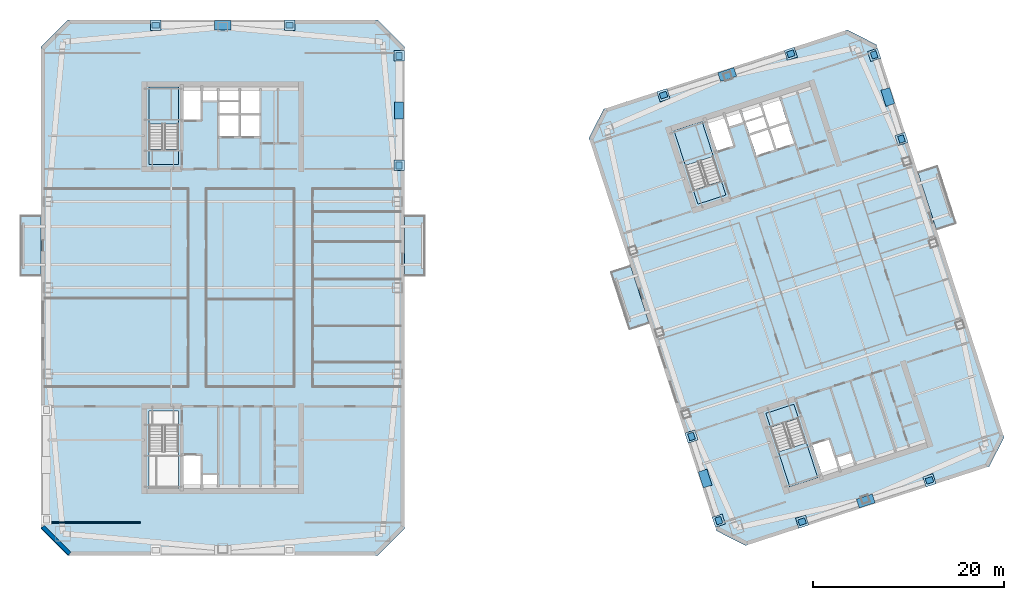
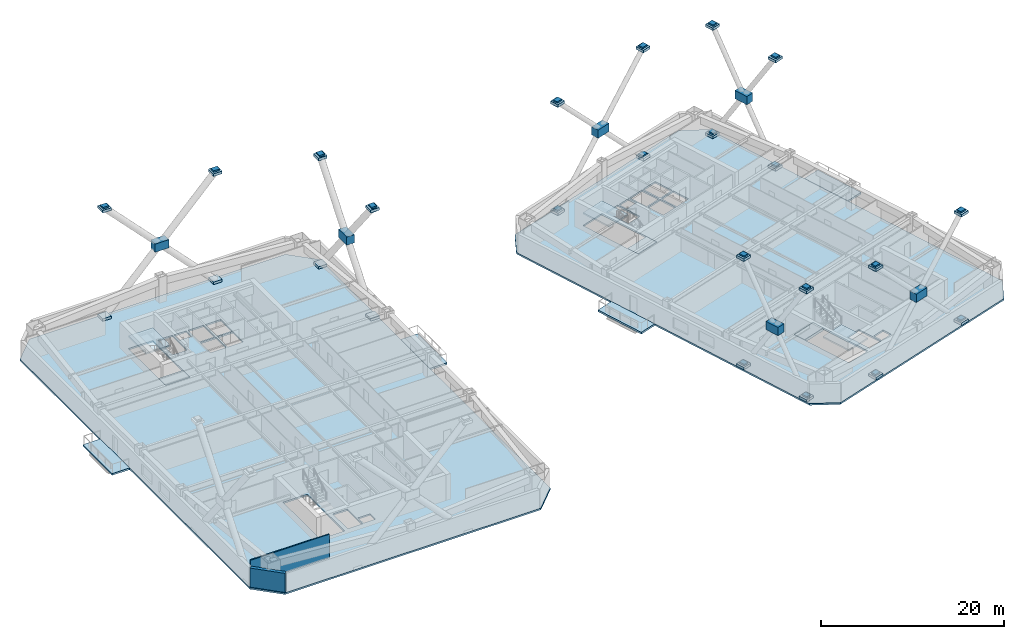
# One storey, part 5 of 17: 50 plates, 12 slabs, 2 walls, 3 elements without a shape of their own.
"""IFC4 building model written with IfcOpenShell, lengths in metres."""

import ifcopenshell
import ifcopenshell.guid

model = None  # the IFC model being written
_history = None  # IfcOwnerHistory: only IFC2X3 demands one
_inside = {}  # id of a spatial element -> (the spatial element, [elements in it])
_under = {}  # id of a project, library or spatial element -> (it, [spatial elements below it])
_declared = {}  # id of a project -> (the project, [libraries it declares])
_typed = {}  # id of a type object -> (the type object, [elements of that type])
_made_of = {}  # id of a material, layer set ... -> (it, [elements and type objects made of it])


def new_model(schema):
    """Start an empty IFC model of exactly this schema.

    Asked for "IFC4X3", IfcOpenShell would pick the latest addendum, in which some entities
    have other attributes; the version numbers below select the first issue.
    IFC2X3 requires an IfcOwnerHistory on every rooted entity: one is made here for all.
    """
    global model, _history
    if schema == "IFC4X3":
        model = ifcopenshell.file(schema_version=(4, 3, 0, 0))
    else:
        model = ifcopenshell.file(schema=schema)
    _inside.clear()
    _under.clear()
    _declared.clear()
    _typed.clear()
    _made_of.clear()
    _history = None
    if model.schema == "IFC2X3":
        org = make("IfcOrganization", Name="unknown")
        user = make(
            "IfcPersonAndOrganization",
            ThePerson=make("IfcPerson", FamilyName="unknown"),
            TheOrganization=org,
        )
        app = make(
            "IfcApplication",
            ApplicationDeveloper=org,
            Version="unknown",
            ApplicationFullName="unknown",
            ApplicationIdentifier="unknown",
        )
        _history = make(
            "IfcOwnerHistory",
            OwningUser=user,
            OwningApplication=app,
            ChangeAction="ADDED",
            CreationDate=0,
        )
    return model


def make(cls, **values):
    """One entity of the class cls with the attributes given. An attribute that is None is left unset."""
    return model.create_entity(
        cls, **{name: value for name, value in values.items() if value is not None}
    )


def rooted(cls, **values):
    """An entity with a GlobalId (a new one), such as an element, a storey or a relation."""
    return make(cls, GlobalId=ifcopenshell.guid.new(), OwnerHistory=_history, **values)


def si_unit(unit_type, name, prefix=None):
    """IfcSIUnit, for example si_unit("LENGTHUNIT", "METRE", prefix="MILLI")."""
    return make("IfcSIUnit", UnitType=unit_type, Prefix=prefix, Name=name)


def assignment(units):
    """IfcUnitAssignment: the units of a project."""
    return None if units is None else make("IfcUnitAssignment", Units=units)


def point(xyz):
    """IfcCartesianPoint."""
    return None if xyz is None else make("IfcCartesianPoint", Coordinates=xyz)


def direction(xyz):
    """IfcDirection."""
    return None if xyz is None else make("IfcDirection", DirectionRatios=xyz)


def frame(location, z_axis=None, x_axis=None):
    """IfcAxis2Placement3D, a coordinate frame: its origin and axes. An axis left out is left unset."""
    return make(
        "IfcAxis2Placement3D",
        Location=point(location),
        Axis=direction(z_axis),
        RefDirection=direction(x_axis),
    )


def frame_2d(location, x_axis=None):
    """IfcAxis2Placement2D, a coordinate frame in the plane: its origin and x axis."""
    return make(
        "IfcAxis2Placement2D", Location=point(location), RefDirection=direction(x_axis)
    )


def origin():
    """The frame at (0, 0, 0) with its axes left unset."""
    return frame((0.0, 0.0, 0.0))


def origin_2d():
    """The frame at (0, 0) in the plane with its x axis left unset."""
    return frame_2d((0.0, 0.0))


def place(relative_to, where):
    """IfcLocalPlacement: puts the frame where relative to a parent placement (None: the world)."""
    return make(
        "IfcLocalPlacement", PlacementRelTo=relative_to, RelativePlacement=where
    )


def context(
    kind, dimensions, precision=None, world=None, true_north=None, identifier=None
):
    """IfcGeometricRepresentationContext, for example the 3D "Model" context."""
    return make(
        "IfcGeometricRepresentationContext",
        ContextIdentifier=identifier,
        ContextType=kind,
        CoordinateSpaceDimension=dimensions,
        Precision=precision,
        WorldCoordinateSystem=world,
        TrueNorth=true_north,
    )


def subcontext(parent, identifier, kind, view, scale=None):
    """IfcGeometricRepresentationSubContext, for example "Body" below "Model"."""
    return make(
        "IfcGeometricRepresentationSubContext",
        ContextIdentifier=identifier,
        ContextType=kind,
        ParentContext=parent,
        TargetScale=scale,
        TargetView=view,
    )


def project(units=None, contexts=None):
    """IfcProject with its units and contexts."""
    return rooted(
        "IfcProject",
        Name="project",
        RepresentationContexts=contexts,
        UnitsInContext=assignment(units),
    )


def spatial(cls, under=None, at=None, **own):
    """A site, building, storey or space (cls), placed at a placement, below another one or the project."""
    s = rooted(cls, ObjectPlacement=at, **own)
    if under is not None:
        _under.setdefault(under.id(), (under, []))[1].append(s)
    return s


def polyline(points):
    """IfcPolyline through the points."""
    return make("IfcPolyline", Points=[point(p) for p in points])


def profile(cls, at=None, kind="AREA", **sizes):
    """A parametric profile (cls). Its sizes go by their IFC names, for example OverallWidth=200.0."""
    return make(cls, ProfileType=kind, Position=at, **sizes)


def rectangle(**sizes):
    """IfcRectangleProfileDef."""
    return profile("IfcRectangleProfileDef", **sizes)


def outline(outer, holes=None, kind="AREA"):
    """IfcArbitraryClosedProfileDef: a profile drawn as a closed curve; with holes, ...WithVoids."""
    if holes is None:
        return make("IfcArbitraryClosedProfileDef", ProfileType=kind, OuterCurve=outer)
    return make(
        "IfcArbitraryProfileDefWithVoids",
        ProfileType=kind,
        OuterCurve=outer,
        InnerCurves=holes,
    )


def extrude(swept, where, along, depth):
    """IfcExtrudedAreaSolid: the profile swept, set in the frame where, extruded along a direction by depth."""
    return make(
        "IfcExtrudedAreaSolid",
        SweptArea=swept,
        Position=where,
        ExtrudedDirection=direction(along),
        Depth=depth,
    )


def shape(context_of_items, identifier, shape_type, items):
    """IfcShapeRepresentation: the items that make up one representation, for example the "Body"."""
    return make(
        "IfcShapeRepresentation",
        ContextOfItems=context_of_items,
        RepresentationIdentifier=identifier,
        RepresentationType=shape_type,
        Items=items,
    )


def material(Name=None, Category=None):
    """IfcMaterial."""
    return make("IfcMaterial", Name=Name, Category=Category)


def layer(
    of_material, thickness, ventilated=None, Name=None, Category=None, Priority=None
):
    """IfcMaterialLayer: one layer of a wall or slab, of a material (None: an air gap)."""
    return make(
        "IfcMaterialLayer",
        Material=of_material,
        LayerThickness=thickness,
        IsVentilated=ventilated,
        Name=Name,
        Category=Category,
        Priority=Priority,
    )


def layer_set(layers, Name=None):
    """IfcMaterialLayerSet."""
    return make("IfcMaterialLayerSet", MaterialLayers=layers, LayerSetName=Name)


def made_of(thing, what):
    """Note that an element or type object is made of a material, layer set ...; save() writes the relation."""
    if what is not None:
        _made_of.setdefault(what.id(), (what, []))[1].append(thing)
    return thing


def type_object(cls, material=None, **own):
    """A type object (cls), such as IfcWallType, which elements share."""
    return made_of(rooted(cls, **own), material)


def element(
    cls,
    number,
    at=None,
    inside=None,
    cuts=None,
    type_object=None,
    material=None,
    context=None,
    identifier="Body",
    shape_type=None,
    held_by="IfcProductDefinitionShape",
    body=None,
    shapes=None,
    **own,
):
    """One element of the class cls, such as IfcWall. Its Tag is "e" and its number.

    at: its placement. inside: the storey or other place that contains it. cuts: it is an
    opening in that element (IfcRelVoidsElement). A single representation is given by context,
    identifier, shape_type and body (its items); several are given by shapes. held_by: the class
    of the entity that holds the representations. save() writes the other relations.
    """
    e = rooted(cls, Tag="e%d" % number, ObjectPlacement=at, **own)
    if body is not None:
        shapes = [shape(context, identifier, shape_type, body)]
    if shapes is not None:
        e.Representation = make(held_by, Representations=shapes)
    if inside is not None:
        _inside.setdefault(inside.id(), (inside, []))[1].append(e)
    if cuts is not None:
        rooted(
            "IfcRelVoidsElement", RelatingBuildingElement=cuts, RelatedOpeningElement=e
        )
    if type_object is not None:
        _typed.setdefault(type_object.id(), (type_object, []))[1].append(e)
    return made_of(e, material)


def aggregate(whole, parts):
    """IfcRelAggregates: a whole, such as a stair, and the parts it consists of."""
    return rooted("IfcRelAggregates", RelatingObject=whole, RelatedObjects=parts)


def save(model, path):
    """Write the relations noted so far, then the file.

    IfcRelAggregates (storeys below a building ...), IfcRelContainedInSpatialStructure (elements
    in a storey), IfcRelDefinesByType, IfcRelAssociatesMaterial and IfcRelDeclares: one each for
    every whole, place, type object, material and project.
    """
    for whole, parts in _under.values():
        aggregate(whole, parts)
    for where, things in _inside.values():
        rooted(
            "IfcRelContainedInSpatialStructure",
            RelatedElements=things,
            RelatingStructure=where,
        )
    for kind, things in _typed.values():
        rooted("IfcRelDefinesByType", RelatedObjects=things, RelatingType=kind)
    for what, things in _made_of.values():
        rooted("IfcRelAssociatesMaterial", RelatedObjects=things, RelatingMaterial=what)
    for by, libraries in _declared.values():
        rooted("IfcRelDeclares", RelatingContext=by, RelatedDefinitions=libraries)
    model.write(path)


model = new_model("IFC4")

# Units and contexts
model_context = context("Model", 3, precision=1e-05, world=origin(), true_north=direction((0.0, 1.0)))
body_context = subcontext(model_context, "Body", "Model", "MODEL_VIEW")
ifc_project = project(units=[si_unit("LENGTHUNIT", "METRE"), si_unit("AREAUNIT", "SQUARE_METRE"), si_unit("VOLUMEUNIT", "CUBIC_METRE"), si_unit("PLANEANGLEUNIT", "RADIAN"), si_unit("MASSUNIT", "GRAM", prefix="KILO")], contexts=[model_context])

# Site, building, storey
site_placement = place(None, origin())
site = spatial("IfcSite", under=ifc_project, at=site_placement, CompositionType="ELEMENT")
building_placement = place(site_placement, origin())
building = spatial("IfcBuilding", under=site, at=building_placement, Name="Qiaolan Cultural Towers", CompositionType="ELEMENT")
storey_placement = place(building_placement, frame((0.0, 0.0, 134.550048828125)))
storey = spatial("IfcBuildingStorey", under=building, at=storey_placement, Name="L35", CompositionType="ELEMENT", Elevation=134.550048828125)

# Plates
ifc_material_1 = material(Name="Steel Q355B", Category="steel")
ifc_layer_1 = layer(ifc_material_1, 0.035888671875)
ifc_layer_set_1 = layer_set([ifc_layer_1], Name="Steel Q355B")
plate_type_1 = type_object("IfcPlateType", Name="PL-CONN-36", PredefinedType="USERDEFINED", material=ifc_layer_set_1)
for number, where, z_axis, x_axis, name in (
    (1, (48.449951171875, 58.25, 14.27978515625), (0.0, 0.0, 1.0), (0.0, 1.0, 0.0), "L35 Brace End Connection Gusset Plate GP-02-0286"),
    (2, (48.449951171875, 46.800048828125, 14.27978515625), (0.0, 0.0, 1.0), (0.0, 1.0, 0.0), "L35 Brace End Connection Gusset Plate GP-02-0287"),
    (3, (37.0, 61.449951171875, 14.27978515625), (0.0, 0.0, 1.0), (1.0, 0.0, 0.0), "L35 Brace End Connection Gusset Plate GP-02-0290"),
    (4, (23.0, 61.449951171875, 14.27978515625), (0.0, 0.0, 1.0), (1.0, 0.0, 0.0), "L35 Brace End Connection Gusset Plate GP-02-0291"),
    (5, (81.877685546875, 9.648193359375, -0.22021484375), (0.0, 0.0, 1.0), (-0.309016961177, 0.951056527082, 0.0), "L35 Brace End Connection Gusset Plate GP-02-0508"),
    (6, (79.019287109375, 18.445556640625, 14.27978515625), (0.0, 0.0, 1.0), (-0.309016961177, 0.951056527082, 0.0), "L35 Brace End Connection Gusset Plate GP-02-0509"),
    (7, (79.019287109375, 18.445556640625, -0.22021484375), (0.0, 0.0, 1.0), (-0.309016961177, 0.951056527082, 0.0), "L35 Brace End Connection Gusset Plate GP-02-0510"),
    (8, (81.877685546875, 9.648193359375, 14.27978515625), (0.0, 0.0, 1.0), (-0.309016961177, 0.951056527082, 0.0), "L35 Brace End Connection Gusset Plate GP-02-0511"),
    (9, (100.980712890625, 49.554443359375, -0.22021484375), (0.0, 0.0, 1.0), (-0.309016961177, 0.951056527082, 0.0), "L35 Brace End Connection Gusset Plate GP-02-0512"),
    (10, (98.122314453125, 58.351806640625, 14.27978515625), (0.0, 0.0, 1.0), (-0.309016961177, 0.951056527082, 0.0), "L35 Brace End Connection Gusset Plate GP-02-0513"),
    (11, (98.122314453125, 58.351806640625, -0.22021484375), (0.0, 0.0, 1.0), (-0.309016961177, 0.951056527082, 0.0), "L35 Brace End Connection Gusset Plate GP-02-0514"),
    (12, (100.980712890625, 49.554443359375, 14.27978515625), (0.0, 0.0, 1.0), (-0.309016961177, 0.951056527082, 0.0), "L35 Brace End Connection Gusset Plate GP-02-0515"),
    (13, (90.589111328125, 9.53466796875, -0.22021484375), (0.0, 0.0, 1.0), (0.951056510902, 0.309017010974, 0.0), "L35 Brace End Connection Gusset Plate GP-02-0516"),
    (14, (103.90380859375, 13.86083984375, 14.27978515625), (0.0, 0.0, 1.0), (0.951056510902, 0.309017010974, 0.0), "L35 Brace End Connection Gusset Plate GP-02-0517"),
    (15, (103.90380859375, 13.86083984375, -0.22021484375), (0.0, 0.0, 1.0), (0.951056510902, 0.309017010974, 0.0), "L35 Brace End Connection Gusset Plate GP-02-0518"),
    (16, (90.589111328125, 9.53466796875, 14.27978515625), (0.0, 0.0, 1.0), (0.951056510902, 0.309017010974, 0.0), "L35 Brace End Connection Gusset Plate GP-02-0519"),
    (17, (76.09619140625, 54.13916015625, -0.22021484375), (0.0, 0.0, 1.0), (0.951056510902, 0.309017010974, 0.0), "L35 Brace End Connection Gusset Plate GP-02-0520"),
    (18, (89.410888671875, 58.46533203125, 14.27978515625), (0.0, 0.0, 1.0), (0.951056510902, 0.309017010974, 0.0), "L35 Brace End Connection Gusset Plate GP-02-0521"),
    (19, (89.410888671875, 58.46533203125, -0.22021484375), (0.0, 0.0, 1.0), (0.951056510902, 0.309017010974, 0.0), "L35 Brace End Connection Gusset Plate GP-02-0522"),
    (20, (76.09619140625, 54.13916015625, 14.27978515625), (0.0, 0.0, 1.0), (0.951056510902, 0.309017010974, 0.0), "L35 Brace End Connection Gusset Plate GP-02-0523"),
):
    element("IfcPlate", number, at=place(storey_placement, frame(where, z_axis=z_axis, x_axis=x_axis)), inside=storey, type_object=plate_type_1, Name=name, ObjectType="GUSSET_PLATE", PredefinedType="USERDEFINED", context=body_context, shape_type="SweptSolid", body=[
        extrude(rectangle(XDim=0.739990234375, YDim=0.6201171875, at=origin_2d()), origin(), (0.0, 0.0, 1.0), 0.739990234375),
    ])
ifc_material_2 = material(Name="Steel Q355B", Category="steel")
ifc_layer_2 = layer(ifc_material_2, 0.030029296875)
ifc_layer_set_2 = layer_set([ifc_layer_2], Name="Steel Q355B")
plate_type_2 = type_object("IfcPlateType", Name="PL-ENDCAP-30", PredefinedType="USERDEFINED", material=ifc_layer_set_2)
for number, where, z_axis, x_axis, name in (
    (21, (48.449951171875, 46.800048828125, -0.025146484375), (0.0, 0.0, 1.0), (0.0, 1.0, 0.0), "Hollow Brace End Seal Cap Plate CP-01"),
    (22, (48.449951171875, 58.25, -0.025146484375), (0.0, 0.0, 1.0), (0.0, 1.0, 0.0), "Hollow Brace End Seal Cap Plate CP-01"),
    (23, (48.449951171875, 46.800048828125, 14.474853515625), (0.0, 0.0, 1.0), (0.0, 1.0, 0.0), "Hollow Brace End Seal Cap Plate CP-01"),
    (24, (48.449951171875, 58.25, 14.474853515625), (0.0, 0.0, 1.0), (0.0, 1.0, 0.0), "Hollow Brace End Seal Cap Plate CP-01"),
    (25, (23.0, 61.449951171875, -0.025146484375), (0.0, 0.0, 1.0), (1.0, 0.0, 0.0), "Hollow Brace End Seal Cap Plate CP-01"),
    (26, (37.0, 61.449951171875, -0.025146484375), (0.0, 0.0, 1.0), (1.0, 0.0, 0.0), "Hollow Brace End Seal Cap Plate CP-01"),
    (27, (23.0, 61.449951171875, 14.474853515625), (0.0, 0.0, 1.0), (1.0, 0.0, 0.0), "Hollow Brace End Seal Cap Plate CP-01"),
    (28, (37.0, 61.449951171875, 14.474853515625), (0.0, 0.0, 1.0), (1.0, 0.0, 0.0), "Hollow Brace End Seal Cap Plate CP-01"),
    (29, (81.877685546875, 9.648193359375, -0.025146484375), (0.0, 0.0, 1.0), (-0.309016994375, 0.951056516295, 0.0), "Hollow Brace End Seal Cap Plate CP-01"),
    (30, (79.019287109375, 18.445556640625, -0.025146484375), (0.0, 0.0, 1.0), (-0.309016994375, 0.951056516295, 0.0), "Hollow Brace End Seal Cap Plate CP-01"),
    (31, (81.877685546875, 9.648193359375, 14.474853515625), (0.0, 0.0, 1.0), (-0.309016994375, 0.951056516295, 0.0), "Hollow Brace End Seal Cap Plate CP-01"),
    (32, (79.019287109375, 18.445556640625, 14.474853515625), (0.0, 0.0, 1.0), (-0.309016994375, 0.951056516295, 0.0), "Hollow Brace End Seal Cap Plate CP-01"),
    (33, (100.980712890625, 49.554443359375, -0.025146484375), (0.0, 0.0, 1.0), (-0.309016994375, 0.951056516295, 0.0), "Hollow Brace End Seal Cap Plate CP-01"),
    (34, (98.122314453125, 58.351806640625, -0.025146484375), (0.0, 0.0, 1.0), (-0.309016994375, 0.951056516295, 0.0), "Hollow Brace End Seal Cap Plate CP-01"),
    (35, (100.980712890625, 49.554443359375, 14.474853515625), (0.0, 0.0, 1.0), (-0.309016994375, 0.951056516295, 0.0), "Hollow Brace End Seal Cap Plate CP-01"),
    (36, (98.122314453125, 58.351806640625, 14.474853515625), (0.0, 0.0, 1.0), (-0.309016994375, 0.951056516295, 0.0), "Hollow Brace End Seal Cap Plate CP-01"),
    (37, (90.589111328125, 9.53466796875, -0.025146484375), (0.0, 0.0, 1.0), (0.951056516295, 0.309016994375, 0.0), "Hollow Brace End Seal Cap Plate CP-01"),
    (38, (103.90380859375, 13.86083984375, -0.025146484375), (0.0, 0.0, 1.0), (0.951056516295, 0.309016994375, 0.0), "Hollow Brace End Seal Cap Plate CP-01"),
    (39, (90.589111328125, 9.53466796875, 14.474853515625), (0.0, 0.0, 1.0), (0.951056516295, 0.309016994375, 0.0), "Hollow Brace End Seal Cap Plate CP-01"),
    (40, (103.90380859375, 13.86083984375, 14.474853515625), (0.0, 0.0, 1.0), (0.951056516295, 0.309016994375, 0.0), "Hollow Brace End Seal Cap Plate CP-01"),
    (41, (76.09619140625, 54.13916015625, -0.025146484375), (0.0, 0.0, 1.0), (0.951056516295, 0.309016994375, 0.0), "Hollow Brace End Seal Cap Plate CP-01"),
    (42, (89.410888671875, 58.46533203125, -0.025146484375), (0.0, 0.0, 1.0), (0.951056516295, 0.309016994375, 0.0), "Hollow Brace End Seal Cap Plate CP-01"),
    (43, (76.09619140625, 54.13916015625, 14.474853515625), (0.0, 0.0, 1.0), (0.951056516295, 0.309016994375, 0.0), "Hollow Brace End Seal Cap Plate CP-01"),
    (44, (89.410888671875, 58.46533203125, 14.474853515625), (0.0, 0.0, 1.0), (0.951056516295, 0.309016994375, 0.0), "Hollow Brace End Seal Cap Plate CP-01"),
):
    element("IfcPlate", number, at=place(storey_placement, frame(where, z_axis=z_axis, x_axis=x_axis)), inside=storey, type_object=plate_type_2, Name=name, ObjectType="BASE_PLATE", PredefinedType="USERDEFINED", context=body_context, shape_type="SweptSolid", body=[
        extrude(rectangle(XDim=1.10009765625, YDim=1.10009765625, at=origin_2d()), origin(), (0.0, 0.0, 1.0), 0.35009765625),
    ])
ifc_material_3 = material(Name="Steel Q390GJB", Category="steel")
ifc_layer_3 = layer(ifc_material_3, 0.0439453125)
ifc_layer_set_3 = layer_set([ifc_layer_3], Name="Steel Q390GJB")
plate_type_3 = type_object("IfcPlateType", Name="PL-NODE-ND02", PredefinedType="USERDEFINED", material=ifc_layer_set_3)
plate_1_placement = place(storey_placement, frame((80.448486328125, 14.046875, 6.849853515625), z_axis=(0.0, 0.0, 1.0), x_axis=(-0.309016994375, 0.951056516295, 0.0)))
element("IfcPlate", 45, at=plate_1_placement, inside=storey, type_object=plate_type_3, Name="Perimeter Frame Gusset Node Assembly ND-02", ObjectType="GUSSET_PLATE", PredefinedType="USERDEFINED", context=body_context, shape_type="SweptSolid", body=[
    extrude(rectangle(XDim=1.760009765625, YDim=0.9599609375, at=origin_2d()), origin(), (0.0, 0.0, 1.0), 1.10009765625),
])
ifc_material_4 = material(Name="Steel Q390GJB", Category="steel")
ifc_layer_4 = layer(ifc_material_4, 0.0458984375)
ifc_layer_set_4 = layer_set([ifc_layer_4], Name="Steel Q390GJB")
plate_type_4 = type_object("IfcPlateType", Name="PL-NODE-ND03", PredefinedType="USERDEFINED", material=ifc_layer_set_4)
plate_2_placement = place(storey_placement, frame((99.551513671875, 53.953125, 6.849853515625), z_axis=(0.0, 0.0, 1.0), x_axis=(-0.309016994375, 0.951056516295, 0.0)))
element("IfcPlate", 46, at=plate_2_placement, inside=storey, type_object=plate_type_4, Name="Perimeter Frame Gusset Node Assembly ND-03", ObjectType="GUSSET_PLATE", PredefinedType="USERDEFINED", context=body_context, shape_type="SweptSolid", body=[
    extrude(rectangle(XDim=1.760009765625, YDim=0.9599609375, at=origin_2d()), origin(), (0.0, 0.0, 1.0), 1.10009765625),
])
ifc_material_5 = material(Name="Steel Q390GJB", Category="steel")
ifc_layer_5 = layer(ifc_material_5, 0.0400390625)
ifc_layer_set_5 = layer_set([ifc_layer_5], Name="Steel Q390GJB")
plate_type_5 = type_object("IfcPlateType", Name="PL-NODE-ND04", PredefinedType="USERDEFINED", material=ifc_layer_set_5)
plate_3_placement = place(storey_placement, frame((97.246337890625, 11.69775390625, 6.849853515625), z_axis=(0.0, 0.0, 1.0), x_axis=(0.951056516295, 0.309016994375, 0.0)))
element("IfcPlate", 47, at=plate_3_placement, inside=storey, type_object=plate_type_5, Name="Perimeter Frame Gusset Node Assembly ND-04", ObjectType="GUSSET_PLATE", PredefinedType="USERDEFINED", context=body_context, shape_type="SweptSolid", body=[
    extrude(rectangle(XDim=1.760009765625, YDim=0.9599609375, at=origin_2d()), origin(), (0.0, 0.0, 1.0), 1.10009765625),
])
ifc_material_6 = material(Name="Steel Q390GJB", Category="steel")
ifc_layer_6 = layer(ifc_material_6, 0.0419921875)
ifc_layer_set_6 = layer_set([ifc_layer_6], Name="Steel Q390GJB")
plate_type_6 = type_object("IfcPlateType", Name="PL-NODE-ND05", PredefinedType="USERDEFINED", material=ifc_layer_set_6)
plate_4_placement = place(storey_placement, frame((82.753662109375, 56.30224609375, 6.849853515625), z_axis=(0.0, 0.0, 1.0), x_axis=(0.951056516295, 0.309016994375, 0.0)))
element("IfcPlate", 48, at=plate_4_placement, inside=storey, type_object=plate_type_6, Name="Perimeter Frame Gusset Node Assembly ND-05", ObjectType="GUSSET_PLATE", PredefinedType="USERDEFINED", context=body_context, shape_type="SweptSolid", body=[
    extrude(rectangle(XDim=1.760009765625, YDim=0.9599609375, at=origin_2d()), origin(), (0.0, 0.0, 1.0), 1.10009765625),
])
ifc_material_7 = material(Name="Steel Q390GJB", Category="steel")
ifc_layer_7 = layer(ifc_material_7, 0.0458984375)
ifc_layer_set_7 = layer_set([ifc_layer_7], Name="Steel Q390GJB")
plate_type_7 = type_object("IfcPlateType", Name="PL-NODE-ND07", PredefinedType="USERDEFINED", material=ifc_layer_set_7)
plate_5_placement = place(storey_placement, frame((48.449951171875, 52.52490234375, 6.849853515625), z_axis=(0.0, 0.0, 1.0), x_axis=(0.0, 1.0, 0.0)))
element("IfcPlate", 49, at=plate_5_placement, inside=storey, type_object=plate_type_7, Name="Perimeter Frame Gusset Node Assembly ND-07", ObjectType="GUSSET_PLATE", PredefinedType="USERDEFINED", context=body_context, shape_type="SweptSolid", body=[
    extrude(rectangle(XDim=1.760009765625, YDim=0.9599609375, at=origin_2d()), origin(), (0.0, 0.0, 1.0), 1.10009765625),
])
ifc_material_8 = material(Name="Steel Q390GJB", Category="steel")
ifc_layer_8 = layer(ifc_material_8, 0.0419921875)
ifc_layer_set_8 = layer_set([ifc_layer_8], Name="Steel Q390GJB")
plate_type_8 = type_object("IfcPlateType", Name="PL-NODE-ND09", PredefinedType="USERDEFINED", material=ifc_layer_set_8)
plate_6_placement = place(storey_placement, frame((30.0, 61.449951171875, 6.849853515625), z_axis=(0.0, 0.0, 1.0), x_axis=(1.0, 0.0, 0.0)))
element("IfcPlate", 50, at=plate_6_placement, inside=storey, type_object=plate_type_8, Name="Perimeter Frame Gusset Node Assembly ND-09", ObjectType="GUSSET_PLATE", PredefinedType="USERDEFINED", context=body_context, shape_type="SweptSolid", body=[
    extrude(rectangle(XDim=1.760009765625, YDim=0.9599609375, at=origin_2d()), origin(), (0.0, 0.0, 1.0), 1.10009765625),
])

# Slabs
ifc_material_9 = material(Name="Concrete C45", Category="concrete")
ifc_layer_9 = layer(ifc_material_9, 0.239990234375)
ifc_layer_set_9 = layer_set([ifc_layer_9], Name="Concrete C45")
slab_type_1 = type_object("IfcSlabType", Name="SL-BAL-240", PredefinedType="FLOOR", material=ifc_layer_set_9)
slab_1_placement = place(storey_placement, frame((0.0, 0.0, -0.239990234375)))
element("IfcSlab", 51, at=slab_1_placement, inside=storey, type_object=slab_type_1, Name="L35 T1 Planted Tree Balcony W", PredefinedType="FLOOR", context=body_context, shape_type="SweptSolid", body=[
    extrude(outline(polyline([(8.800048828125, 35.199951171875), (11.0, 35.199951171875), (11.0, 41.60009765625), (8.800048828125, 41.60009765625), (8.800048828125, 35.199951171875)])), origin(), (0.0, 0.0, 1.0), 0.239990234375),
])
slab_2_placement = place(storey_placement, frame((0.0, 0.0, -0.239990234375)))
element("IfcSlab", 52, at=slab_2_placement, inside=storey, type_object=slab_type_1, Name="L35 T1 Planted Tree Balcony E", PredefinedType="FLOOR", context=body_context, shape_type="SweptSolid", body=[
    extrude(outline(polyline([(49.0, 35.199951171875), (51.199951171875, 35.199951171875), (51.199951171875, 41.60009765625), (49.0, 41.60009765625), (49.0, 35.199951171875)])), origin(), (0.0, 0.0, 1.0), 0.239990234375),
])
slab_3_placement = place(storey_placement, frame((0.0, 0.0, -0.239990234375)))
element("IfcSlab", 53, at=slab_3_placement, inside=storey, type_object=slab_type_1, Name="L35 T2 Planted Tree Balcony W", PredefinedType="FLOOR", context=body_context, shape_type="SweptSolid", body=[
    extrude(outline(polyline([(72.51025390625, 29.578857421875), (74.6025390625, 30.2587890625), (72.624755859375, 36.345458984375), (70.532470703125, 35.665771484375), (72.51025390625, 29.578857421875)])), origin(), (0.0, 0.0, 1.0), 0.239990234375),
])
slab_4_placement = place(storey_placement, frame((0.0, 0.0, -0.239990234375)))
element("IfcSlab", 54, at=slab_4_placement, inside=storey, type_object=slab_type_1, Name="L35 T2 Planted Tree Balcony E", PredefinedType="FLOOR", context=body_context, shape_type="SweptSolid", body=[
    extrude(outline(polyline([(104.65576171875, 40.023681640625), (106.748291015625, 40.70361328125), (104.7705078125, 46.790283203125), (102.67822265625, 46.110595703125), (104.65576171875, 40.023681640625)])), origin(), (0.0, 0.0, 1.0), 0.239990234375),
])

# Stair, slab
ifc_material_10 = material(Name="Concrete C45", Category="concrete")
stair_type = type_object("IfcStairType", Name="STR-CORE-1500", PredefinedType="HALF_TURN_STAIR", material=ifc_material_10)
stair_1_placement = place(storey_placement, origin())
stair_1 = element("IfcStair", 55, at=stair_1_placement, inside=storey, type_object=stair_type, Name="L35 Smokeproof Exit Stair ST-W2", PredefinedType="HALF_TURN_STAIR")
ifc_material_11 = material(Name="Concrete C45", Category="concrete")
ifc_layer_10 = layer(ifc_material_11, 0.199951171875)
ifc_layer_set_10 = layer_set([ifc_layer_10], Name="Concrete C45")
slab_type_2 = type_object("IfcSlabType", Name="SL-STAIR-LAND", PredefinedType="LANDING", material=ifc_layer_set_10)
slab_5_placement = place(storey_placement, frame((0.0, 0.0, 1.52490234375)))
slab_5 = element("IfcSlab", 56, at=slab_5_placement, type_object=slab_type_2, Name="ST-W2 landing 1", PredefinedType="LANDING", context=body_context, shape_type="SweptSolid", body=[
    extrude(outline(polyline([(25.3798828125, 51.148681640625), (25.3798828125, 55.0), (22.300048828125, 55.0), (22.300048828125, 51.148681640625), (25.3798828125, 51.148681640625)])), origin(), (0.0, 0.0, 1.0), 0.199951171875),
])
aggregate(stair_1, [slab_5])

stair_2_placement = place(storey_placement, origin())
stair_2 = element("IfcStair", 57, at=stair_2_placement, inside=storey, type_object=stair_type, Name="L35 Smokeproof Exit Stair ST-E1", PredefinedType="HALF_TURN_STAIR")
slab_6_placement = place(storey_placement, frame((0.0, 0.0, 1.52490234375)))
slab_6 = element("IfcSlab", 58, at=slab_6_placement, type_object=slab_type_2, Name="ST-E1 landing 1", PredefinedType="LANDING", context=body_context, shape_type="SweptSolid", body=[
    extrude(outline(polyline([(88.114013671875, 16.828125), (89.30419921875, 13.165283203125), (92.2333984375, 14.116943359375), (91.04345703125, 17.77978515625), (88.114013671875, 16.828125)])), origin(), (0.0, 0.0, 1.0), 0.199951171875),
])
aggregate(stair_2, [slab_6])

stair_3_placement = place(storey_placement, origin())
stair_3 = element("IfcStair", 59, at=stair_3_placement, inside=storey, type_object=stair_type, Name="L35 Smokeproof Exit Stair ST-E2", PredefinedType="HALF_TURN_STAIR")
slab_7_placement = place(storey_placement, frame((0.0, 0.0, 1.52490234375)))
slab_7 = element("IfcSlab", 60, at=slab_7_placement, type_object=slab_type_2, Name="ST-E2 landing 1", PredefinedType="LANDING", context=body_context, shape_type="SweptSolid", body=[
    extrude(outline(polyline([(81.31005859375, 47.735595703125), (80.1201171875, 51.3984375), (77.190673828125, 50.44677734375), (78.380859375, 46.783935546875), (81.31005859375, 47.735595703125)])), origin(), (0.0, 0.0, 1.0), 0.199951171875),
])
aggregate(stair_3, [slab_7])

# Slabs
ifc_material_12 = material(Name="Concrete C40", Category="concrete")
ifc_layer_11 = layer(ifc_material_12, 0.360107421875)
ifc_layer_set_11 = layer_set([ifc_layer_11], Name="Concrete C40")
slab_type_3 = type_object("IfcSlabType", Name="SL-STFLR-360", PredefinedType="LANDING", material=ifc_layer_set_11)
slab_8_placement = place(storey_placement, frame((0.0, 0.0, -0.360107421875)))
element("IfcSlab", 61, at=slab_8_placement, inside=storey, type_object=slab_type_3, Name="L35 ST-W2 Stair Floor Landing Slab", PredefinedType="LANDING", context=body_context, shape_type="SweptSolid", body=[
    extrude(outline(polyline([(25.3779296875, 46.902099609375), (25.3779296875, 48.451416015625), (22.302001953125, 48.451416015625), (22.302001953125, 46.902099609375), (25.3779296875, 46.902099609375)])), origin(), (0.0, 0.0, 1.0), 0.360107421875),
])
slab_9_placement = place(storey_placement, frame((0.0, 0.0, -0.360107421875)))
element("IfcSlab", 62, at=slab_9_placement, inside=storey, type_object=slab_type_3, Name="L35 ST-E1 Stair Floor Landing Slab", PredefinedType="LANDING", context=body_context, shape_type="SweptSolid", body=[
    extrude(outline(polyline([(86.8037109375, 20.867431640625), (87.282470703125, 19.39404296875), (90.2080078125, 20.3447265625), (89.729248046875, 21.818115234375), (86.8037109375, 20.867431640625)])), origin(), (0.0, 0.0, 1.0), 0.360107421875),
])
slab_10_placement = place(storey_placement, frame((0.0, 0.0, -0.360107421875)))
element("IfcSlab", 63, at=slab_10_placement, inside=storey, type_object=slab_type_3, Name="L35 ST-E2 Stair Floor Landing Slab", PredefinedType="LANDING", context=body_context, shape_type="SweptSolid", body=[
    extrude(outline(polyline([(82.62060546875, 43.6962890625), (82.141845703125, 45.169677734375), (79.21630859375, 44.21923828125), (79.695068359375, 42.74560546875), (82.62060546875, 43.6962890625)])), origin(), (0.0, 0.0, 1.0), 0.360107421875),
])
ifc_material_13 = material(Name="Concrete C45", Category="concrete")
ifc_layer_12 = layer(ifc_material_13, 0.219970703125)
ifc_layer_set_12 = layer_set([ifc_layer_12], Name="Concrete C45")
slab_type_4 = type_object("IfcSlabType", Name="SL-TYP-220", PredefinedType="FLOOR", material=ifc_layer_set_12)
slab_11_placement = place(storey_placement, frame((0.0, 0.0, -0.219970703125)))
element("IfcSlab", 64, at=slab_11_placement, inside=storey, type_object=slab_type_4, Name="L35 West Tower Floor Slab", PredefinedType="FLOOR", context=body_context, shape_type="SweptSolid", body=[
    extrude(outline(polyline([(13.800048828125, 6.0), (46.199951171875, 6.0), (49.0, 8.800048828125), (49.0, 59.199951171875), (46.199951171875, 62.0), (13.800048828125, 62.0), (11.0, 59.199951171875), (11.0, 8.800048828125), (13.800048828125, 6.0)]), holes=[polyline([(22.300048828125, 21.10009765625), (22.300048828125, 13.0), (25.3798828125, 13.0), (25.3798828125, 21.10009765625), (22.300048828125, 21.10009765625)]), polyline([(25.3798828125, 46.89990234375), (25.3798828125, 55.0), (22.300048828125, 55.0), (22.300048828125, 46.89990234375), (25.3798828125, 46.89990234375)]), polyline([(25.89990234375, 13.199951171875), (27.75, 13.199951171875), (27.75, 16.449951171875), (25.89990234375, 16.449951171875), (25.89990234375, 13.199951171875)]), polyline([(27.93994140625, 13.25), (29.449951171875, 13.25), (29.449951171875, 14.419921875), (27.93994140625, 14.419921875), (27.93994140625, 13.25)]), polyline([(25.89990234375, 51.550048828125), (27.75, 51.550048828125), (27.75, 54.800048828125), (25.89990234375, 54.800048828125), (25.89990234375, 51.550048828125)]), polyline([(27.93994140625, 53.580078125), (29.449951171875, 53.580078125), (29.449951171875, 54.75), (27.93994140625, 54.75), (27.93994140625, 53.580078125)]), polyline([(29.679931640625, 49.820068359375), (31.679931640625, 49.820068359375), (31.679931640625, 52.080078125), (29.679931640625, 52.080078125), (29.679931640625, 49.820068359375)]), polyline([(31.8798828125, 49.820068359375), (33.820068359375, 49.820068359375), (33.820068359375, 52.080078125), (31.8798828125, 52.080078125), (31.8798828125, 49.820068359375)]), polyline([(29.679931640625, 52.27001953125), (31.659912109375, 52.27001953125), (31.659912109375, 54.75), (29.679931640625, 54.75), (29.679931640625, 52.27001953125)]), polyline([(31.8798828125, 52.27001953125), (33.820068359375, 52.27001953125), (33.820068359375, 54.75), (31.8798828125, 54.75), (31.8798828125, 52.27001953125)])]), origin(), (0.0, 0.0, 1.0), 0.219970703125),
])
slab_12_placement = place(storey_placement, frame((0.0, 0.0, -0.219970703125)))
element("IfcSlab", 65, at=slab_12_placement, inside=storey, type_object=slab_type_4, Name="L35 East Tower Floor Slab", PredefinedType="FLOOR", context=body_context, shape_type="SweptSolid", body=[
    extrude(outline(polyline([(84.67236328125, 7.033935546875), (110.16064453125, 15.3154296875), (111.701416015625, 18.339599609375), (98.351806640625, 59.42529296875), (95.32763671875, 60.966064453125), (69.83935546875, 52.6845703125), (68.298583984375, 49.660400390625), (81.648193359375, 8.57470703125), (84.67236328125, 7.033935546875)]), holes=[polyline([(86.80126953125, 20.868896484375), (89.30419921875, 13.165283203125), (92.2333984375, 14.116943359375), (89.73046875, 21.820556640625), (86.80126953125, 20.868896484375)]), polyline([(82.623046875, 43.69482421875), (80.1201171875, 51.3984375), (77.190673828125, 50.44677734375), (79.69384765625, 42.7431640625), (82.623046875, 43.69482421875)]), polyline([(92.666259765625, 14.468017578125), (94.42578125, 15.03955078125), (93.42138671875, 18.130615234375), (91.661865234375, 17.558837890625), (92.666259765625, 14.468017578125)]), polyline([(94.5908203125, 15.14599609375), (96.027099609375, 15.612548828125), (95.66552734375, 16.725341796875), (94.2294921875, 16.258544921875), (94.5908203125, 15.14599609375)]), polyline([(81.6806640625, 48.278076171875), (83.440185546875, 48.849609375), (82.435791015625, 51.940673828125), (80.67626953125, 51.368896484375), (81.6806640625, 48.278076171875)]), polyline([(82.993408203125, 50.839111328125), (84.4296875, 51.3056640625), (84.068115234375, 52.41845703125), (82.632080078125, 51.95166015625), (82.993408203125, 50.839111328125)]), polyline([(85.810302734375, 47.80078125), (87.71240234375, 48.418701171875), (87.013916015625, 50.568115234375), (85.11181640625, 49.9501953125), (85.810302734375, 47.80078125)]), polyline([(87.902587890625, 48.480712890625), (89.74755859375, 49.080078125), (89.04931640625, 51.2294921875), (87.2041015625, 50.6298828125), (87.902587890625, 48.480712890625)]), polyline([(85.05322265625, 50.130859375), (86.936279296875, 50.74267578125), (86.169921875, 53.101318359375), (84.286865234375, 52.489501953125), (85.05322265625, 50.130859375)]), polyline([(87.1455078125, 50.810791015625), (88.990478515625, 51.41015625), (88.22412109375, 53.768798828125), (86.379150390625, 53.169189453125), (87.1455078125, 50.810791015625)])]), origin(), (0.0, 0.0, 1.0), 0.219970703125),
])

# Walls
ifc_material_14 = material(Name="Precast Concrete C50 Honed Stone Pier", Category="masonry")
ifc_layer_13 = layer(ifc_material_14, 0.39990234375)
ifc_layer_set_13 = layer_set([ifc_layer_13], Name="Precast Concrete C50 Honed Stone Pier")
wall_type_1 = type_object("IfcWallType", Name="WL-EXT-PIER-400", PredefinedType="SOLIDWALL", material=ifc_layer_set_13)
wall_1_placement = place(storey_placement, frame((14.0, 6.199951171875, 0.0), z_axis=(0.0, 0.0, 1.0), x_axis=(-0.707106781187, 0.707106781187, 0.0)))
element("IfcWall", 66, at=wall_1_placement, inside=storey, type_object=wall_type_1, Name="L35 West Tower Precast Pier Facade Wall F8", PredefinedType="SOLIDWALL", context=body_context, shape_type="SweptSolid", body=[
    extrude(rectangle(XDim=3.9599609375, YDim=0.39990234375, at=frame_2d((1.97998046875, 0.0))), origin(), (0.0, 0.0, 1.0), 2.550048828125),
])
ifc_material_15 = material(Name="Autoclaved Aerated Concrete Block B06", Category="concrete")
ifc_layer_14 = layer(ifc_material_15, 0.14990234375)
ifc_layer_set_14 = layer_set([ifc_layer_14], Name="Autoclaved Aerated Concrete Block B06")
wall_type_2 = type_object("IfcWallType", Name="WL-PART-150", PredefinedType="PARTITIONING", material=ifc_layer_set_14)
wall_2_placement = place(storey_placement, frame((11.39990234375, 9.449951171875, 0.0), z_axis=(0.0, 0.0, 1.0), x_axis=(1.0, 0.0, 0.0)))
element("IfcWall", 67, at=wall_2_placement, inside=storey, type_object=wall_type_2, Name="L35 T1 Flank Wall FLK-SW", PredefinedType="PARTITIONING", context=body_context, shape_type="SweptSolid", body=[
    extrude(rectangle(XDim=10.0, YDim=0.14990234375, at=frame_2d((5.0, 0.0))), origin(), (0.0, 0.0, 1.0), 3.155029296875),
])

save(model, "model.ifc")
